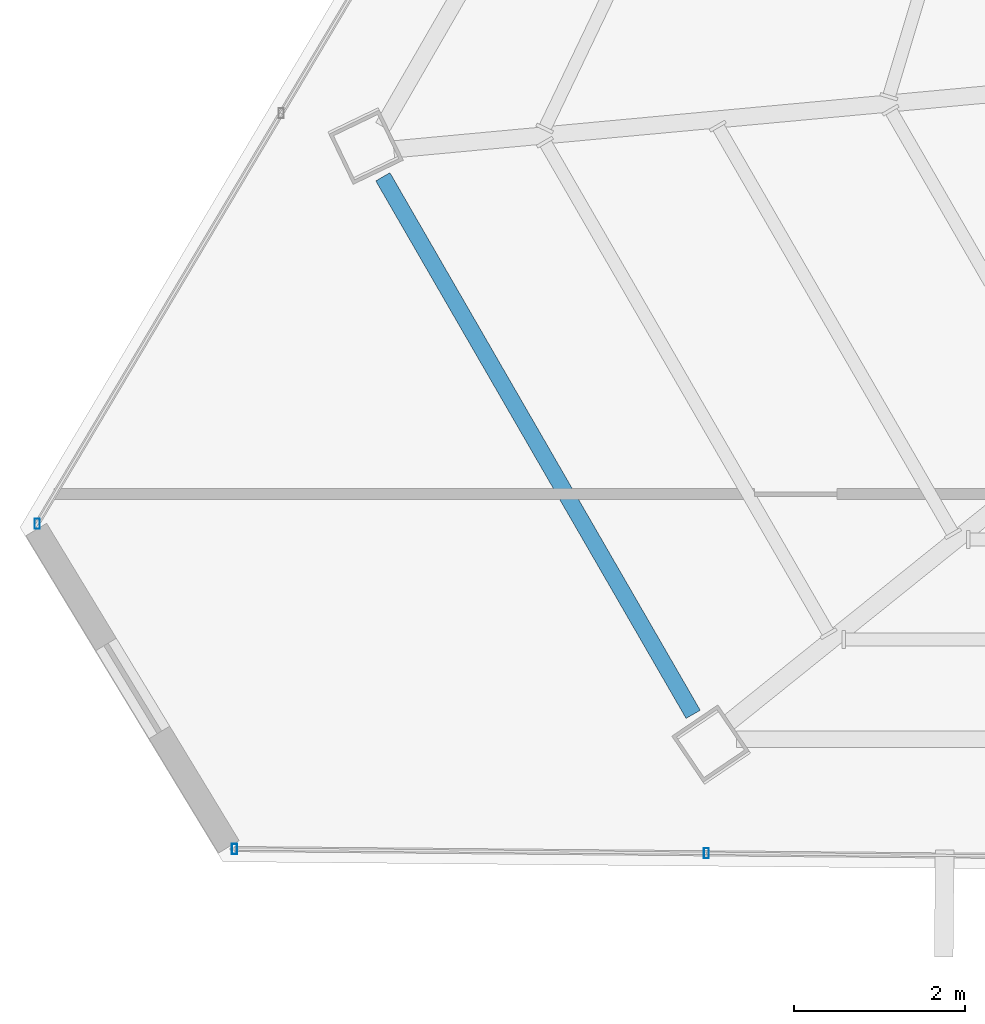
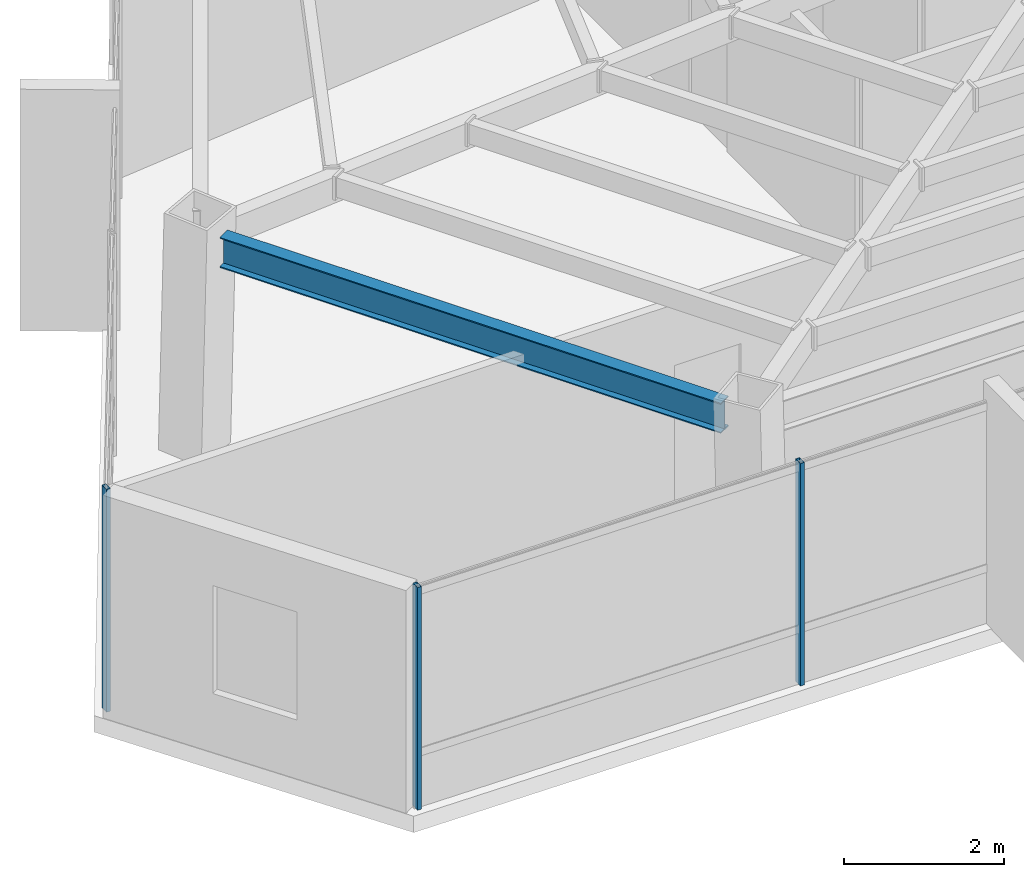
# One storey, part 3 of 47: 3 members, 1 beam, 2 elements without a shape of their own.
"""IFC4 building model written with IfcOpenShell, lengths in metres."""

from ifc_helpers import new_model, si_unit, direction, frame, origin, origin_2d, place, context, subcontext, project, spatial, hollow_rectangle, i_section, extrude, source, transform, mapped, material, material_profile, profile_set, type_object, type_shapes, element, aggregate, save


model = new_model("IFC4")

# Units and contexts
model_context = context("Model", 3, precision=1e-05, world=origin(), true_north=direction((0.0, 1.0)))
body_context = subcontext(model_context, "Body", "Model", "MODEL_VIEW")
ifc_project = project(units=[si_unit("LENGTHUNIT", "METRE"), si_unit("AREAUNIT", "SQUARE_METRE"), si_unit("VOLUMEUNIT", "CUBIC_METRE"), si_unit("PLANEANGLEUNIT", "RADIAN"), si_unit("MASSUNIT", "GRAM", prefix="KILO")], contexts=[model_context])

# Site, building, storey
site_placement = place(None, origin())
site = spatial("IfcSite", under=ifc_project, at=site_placement, CompositionType="ELEMENT")
building_placement = place(site_placement, origin())
building = spatial("IfcBuilding", under=site, at=building_placement, Name="Caelisora Broadcast Tower", CompositionType="ELEMENT")
storey_placement = place(building_placement, frame((0.0, 0.0, 248.10009765625)))
storey = spatial("IfcBuildingStorey", under=building, at=storey_placement, Name="L65", CompositionType="ELEMENT", Elevation=248.10009765625)

# Beam
ifc_material_1 = material(Name="Steel Grade 350 (AS/NZS 3679.1)", Category="steel")
ifc_material_profile_1 = material_profile(ifc_material_1, i_section(OverallWidth=0.19091796875, OverallDepth=0.46044921875, WebThickness=0.010009765625, FlangeThickness=0.01611328125, at=origin_2d()), Name="Steel Grade 350 (AS/NZS 3679.1)")
ifc_profile_set_1 = profile_set([ifc_material_profile_1], Name="Steel Grade 350 (AS/NZS 3679.1)")
beam_type = type_object("IfcBeamType", Name="PG06", PredefinedType="BEAM", material=ifc_profile_set_1)
shared_shape_1 = source(origin(), body_context, "Body", "SweptSolid", [
    extrude(i_section(OverallWidth=0.19091796875, OverallDepth=0.46044921875, WebThickness=0.010009765625, FlangeThickness=0.01611328125, at=origin_2d()), origin(), (0.0, 0.0, 1.0), 7.23828125),
])
type_shapes(beam_type, [shared_shape_1])
beam_placement = place(storey_placement, frame((16.560791015625, 15.801025390625, 3.169677734375), z_axis=(0.499973551264, -0.866040673431, 0.0), x_axis=(0.866040673431, 0.499973551264, 0.0)))
element("IfcBeam", 1, at=beam_placement, inside=storey, type_object=beam_type, Name="L65 beam PG06", PredefinedType="BEAM", context=body_context, shape_type="MappedRepresentation", body=[
    mapped(shared_shape_1, transform((0.0, 0.0, 0.0), scale=1.0)),
])

# Curtain wall, members
ifc_material_2 = material(Name="Unitised Aluminium and Low-E Glass Curtain Wall", Category="glass")
curtain_wall_type = type_object("IfcCurtainWallType", Name="CW-Z5", PredefinedType="NOTDEFINED", material=ifc_material_2)
curtain_wall_1_placement = place(storey_placement, origin())
curtain_wall_1 = element("IfcCurtainWall", 2, at=curtain_wall_1_placement, inside=storey, type_object=curtain_wall_type, Name="L65 curtain wall CW-Z5", PredefinedType="NOTDEFINED")
ifc_material_3 = material(Name="Aluminium 6063-T6 Anodised Terracotta Bronze", Category="aluminium")
ifc_material_profile_2 = material_profile(ifc_material_3, hollow_rectangle(XDim=0.06005859375, YDim=0.1201171875, WallThickness=0.0029296875, at=origin_2d()), Name="Aluminium 6063-T6 Anodised Terracotta Bronze")
ifc_profile_set_2 = profile_set([ifc_material_profile_2], Name="Aluminium 6063-T6 Anodised Terracotta Bronze")
member_type = type_object("IfcMemberType", Name="CWM-04", PredefinedType="MULLION", material=ifc_profile_set_2)
shared_shape_2 = source(origin(), body_context, "Body", "SweptSolid", [
    extrude(hollow_rectangle(XDim=0.06005859375, YDim=0.1201171875, WallThickness=0.0029296875, at=origin_2d()), origin(), (0.0, 0.0, 1.0), 3.39990234375),
])
type_shapes(member_type, [shared_shape_2])
member_1_placement = place(storey_placement, frame((20.33349609375, 7.911865234375, 0.0), z_axis=(0.0, 0.0, 1.0), x_axis=(1.0, 0.0, 0.0)))
member_1 = element("IfcMember", 3, at=member_1_placement, type_object=member_type, Name="L65-CW-B07 mullion #2", PredefinedType="MULLION", context=body_context, shape_type="MappedRepresentation", body=[
    mapped(shared_shape_2, transform((0.0, 0.0, 0.0), scale=1.0)),
])
member_2_placement = place(storey_placement, frame((14.830078125, 7.96142578125, 0.0), z_axis=(0.0, 0.0, 1.0), x_axis=(1.0, 0.0, 0.0)))
member_2 = element("IfcMember", 4, at=member_2_placement, type_object=member_type, Name="L65-CW-B07 mullion #3", PredefinedType="MULLION", context=body_context, shape_type="MappedRepresentation", body=[
    mapped(shared_shape_2, transform((0.0, 0.0, 0.0), scale=1.0)),
])
aggregate(curtain_wall_1, [member_1, member_2])

# Curtain wall, member
curtain_wall_2_placement = place(storey_placement, origin())
curtain_wall_2 = element("IfcCurtainWall", 5, at=curtain_wall_2_placement, inside=storey, type_object=curtain_wall_type, Name="L65 curtain wall CW-Z5", PredefinedType="NOTDEFINED")
member_3_placement = place(storey_placement, frame((12.529541015625, 11.756103515625, 0.0), z_axis=(0.0, 0.0, 1.0), x_axis=(1.0, 0.0, 0.0)))
member_3 = element("IfcMember", 6, at=member_3_placement, type_object=member_type, Name="L65-CW-B09 mullion #0", PredefinedType="MULLION", context=body_context, shape_type="MappedRepresentation", body=[
    mapped(shared_shape_2, transform((0.0, 0.0, 0.0), scale=1.0)),
])
aggregate(curtain_wall_2, [member_3])

save(model, "model.ifc")
